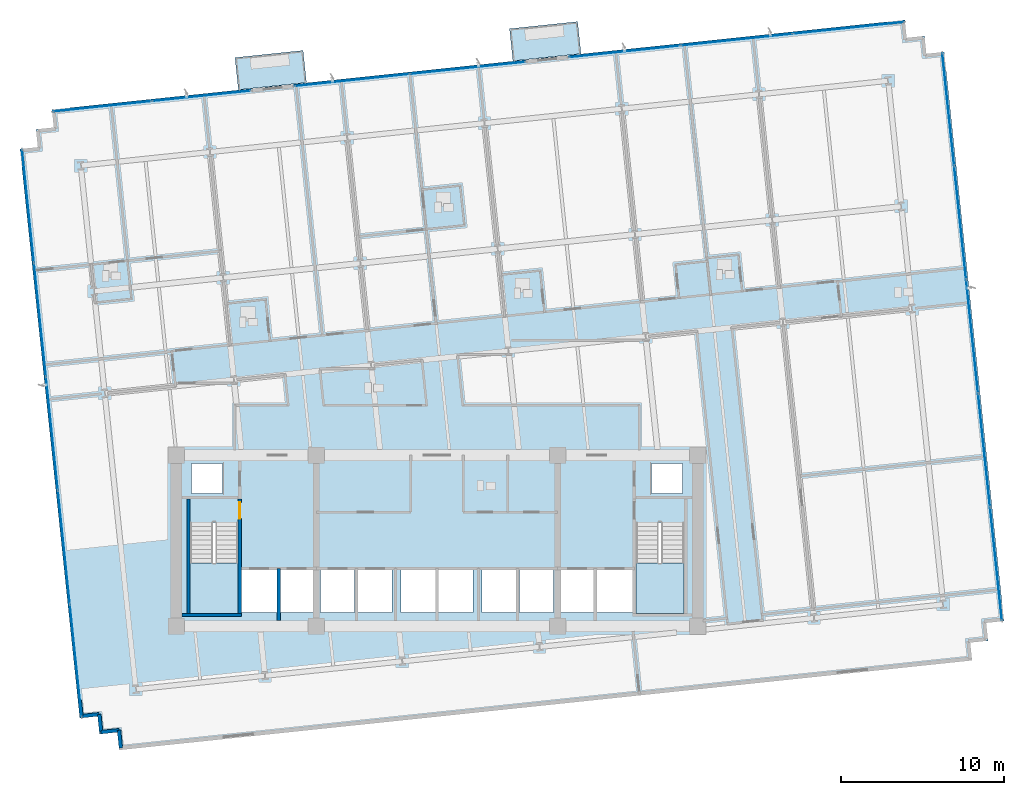
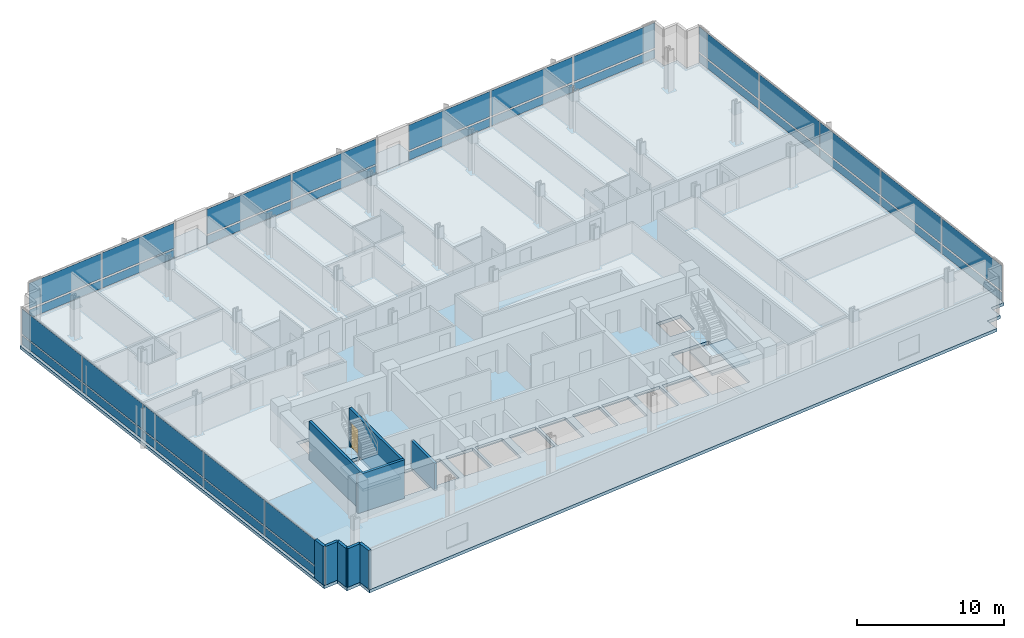
# One storey, part 9 of 20: 34 plates, 9 walls, 5 slabs, 1 door, 1 opening, 7 elements without a shape of their own.
"""IFC4 building model written with IfcOpenShell, lengths in metres."""

from ifc_helpers import new_model, si_unit, direction, frame, frame_2d, origin, origin_2d, place, context, subcontext, project, spatial, polyline, rectangle, outline, extrude, material, layer, layer_set, type_object, element, fill, aggregate, save


model = new_model("IFC4")

# Units and contexts
model_context = context("Model", 3, precision=1e-05, world=origin(), true_north=direction((0.0, 1.0)))
body_context = subcontext(model_context, "Body", "Model", "MODEL_VIEW")
ifc_project = project(units=[si_unit("LENGTHUNIT", "METRE"), si_unit("AREAUNIT", "SQUARE_METRE"), si_unit("VOLUMEUNIT", "CUBIC_METRE"), si_unit("PLANEANGLEUNIT", "RADIAN"), si_unit("MASSUNIT", "GRAM", prefix="KILO")], contexts=[model_context])

# Site, building, storey
site_placement = place(None, origin())
site = spatial("IfcSite", under=ifc_project, at=site_placement, CompositionType="ELEMENT")
building_placement = place(site_placement, origin())
building = spatial("IfcBuilding", under=site, at=building_placement, Name="Solmavex Isthmus Hotel", CompositionType="ELEMENT")
storey_placement = place(building_placement, frame((0.0, 0.0, 87.0)))
storey = spatial("IfcBuildingStorey", under=building, at=storey_placement, Name="L23", CompositionType="ELEMENT", Elevation=87.0)

# Curtain wall, plates
ifc_material_1 = material(Name="Aluminium alloy 6063-T6", Category="aluminium")
curtain_wall_type = type_object("IfcCurtainWallType", Name="CW-SYS-03", PredefinedType="NOTDEFINED", material=ifc_material_1)
curtain_wall_1_placement = place(storey_placement, origin())
curtain_wall_1 = element("IfcCurtainWall", 1, at=curtain_wall_1_placement, inside=storey, type_object=curtain_wall_type, Name="Stick Curtain Wall CWL-L23-N1", PredefinedType="NOTDEFINED")
ifc_material_2 = material(Name="Clear low-E laminated glass", Category="glass")
ifc_layer_1 = layer(ifc_material_2, 0.030029296875)
ifc_layer_set_1 = layer_set([ifc_layer_1], Name="Clear low-E laminated glass")
plate_type = type_object("IfcPlateType", Name="CW-SYS-03-PNL", PredefinedType="CURTAIN_PANEL", material=ifc_layer_set_1)
plate_1_placement = place(storey_placement, frame((-20.531982421875, 18.896728515625, 0.14013671875), z_axis=(0.0, 0.0, 1.0), x_axis=(0.994521931062, 0.104528123665, 0.0)))
plate_1 = element("IfcPlate", 2, at=plate_1_placement, type_object=plate_type, Name="CW-03 panel 1.1", PredefinedType="CURTAIN_PANEL", context=body_context, shape_type="SweptSolid", body=[
    extrude(rectangle(XDim=6.04541015625, YDim=0.030029296875, at=origin_2d()), origin(), (0.0, 0.0, 1.0), 0.68994140625),
])
plate_2_placement = place(storey_placement, frame((-20.531982421875, 18.896728515625, 0.969970703125), z_axis=(0.0, 0.0, 1.0), x_axis=(0.994521931062, 0.104528123665, 0.0)))
plate_2 = element("IfcPlate", 3, at=plate_2_placement, type_object=plate_type, Name="CW-03 panel 1.2", PredefinedType="CURTAIN_PANEL", context=body_context, shape_type="SweptSolid", body=[
    extrude(rectangle(XDim=6.04541015625, YDim=0.030029296875, at=origin_2d()), origin(), (0.0, 0.0, 1.0), 2.080078125),
])
plate_3_placement = place(storey_placement, frame((-14.449951171875, 19.535888671875, 0.14013671875), z_axis=(0.0, 0.0, 1.0), x_axis=(0.994521931062, 0.104528123665, 0.0)))
plate_3 = element("IfcPlate", 4, at=plate_3_placement, type_object=plate_type, Name="CW-03 panel 2.1", PredefinedType="CURTAIN_PANEL", context=body_context, shape_type="SweptSolid", body=[
    extrude(rectangle(XDim=6.04541015625, YDim=0.030029296875, at=origin_2d()), origin(), (0.0, 0.0, 1.0), 0.68994140625),
])
plate_4_placement = place(storey_placement, frame((-14.449951171875, 19.535888671875, 0.969970703125), z_axis=(0.0, 0.0, 1.0), x_axis=(0.994521931062, 0.104528123665, 0.0)))
plate_4 = element("IfcPlate", 5, at=plate_4_placement, type_object=plate_type, Name="CW-03 panel 2.2", PredefinedType="CURTAIN_PANEL", context=body_context, shape_type="SweptSolid", body=[
    extrude(rectangle(XDim=6.04541015625, YDim=0.030029296875, at=origin_2d()), origin(), (0.0, 0.0, 1.0), 2.080078125),
])
aggregate(curtain_wall_1, [plate_1, plate_2, plate_3, plate_4])

curtain_wall_2_placement = place(storey_placement, origin())
curtain_wall_2 = element("IfcCurtainWall", 6, at=curtain_wall_2_placement, inside=storey, type_object=curtain_wall_type, Name="Stick Curtain Wall CWL-L23-N2", PredefinedType="NOTDEFINED")
plate_5_placement = place(storey_placement, frame((-5.207763671875, 20.50732421875, 0.14013671875), z_axis=(0.0, 0.0, 1.0), x_axis=(0.994521911082, 0.104528313766, 0.0)))
plate_5 = element("IfcPlate", 7, at=plate_5_placement, type_object=plate_type, Name="CW-03 panel 1.1", PredefinedType="CURTAIN_PANEL", context=body_context, shape_type="SweptSolid", body=[
    extrude(rectangle(XDim=7.06103515625, YDim=0.030029296875, at=origin_2d()), origin(), (0.0, 0.0, 1.0), 0.68994140625),
])
plate_6_placement = place(storey_placement, frame((-5.207763671875, 20.50732421875, 0.969970703125), z_axis=(0.0, 0.0, 1.0), x_axis=(0.994521911082, 0.104528313766, 0.0)))
plate_6 = element("IfcPlate", 8, at=plate_6_placement, type_object=plate_type, Name="CW-03 panel 1.2", PredefinedType="CURTAIN_PANEL", context=body_context, shape_type="SweptSolid", body=[
    extrude(rectangle(XDim=7.06103515625, YDim=0.030029296875, at=origin_2d()), origin(), (0.0, 0.0, 1.0), 2.080078125),
])
plate_7_placement = place(storey_placement, frame((1.88427734375, 21.252685546875, 0.14013671875), z_axis=(0.0, 0.0, 1.0), x_axis=(0.994521911082, 0.104528313766, 0.0)))
plate_7 = element("IfcPlate", 9, at=plate_7_placement, type_object=plate_type, Name="CW-03 panel 2.1", PredefinedType="CURTAIN_PANEL", context=body_context, shape_type="SweptSolid", body=[
    extrude(rectangle(XDim=7.06103515625, YDim=0.030029296875, at=origin_2d()), origin(), (0.0, 0.0, 1.0), 0.68994140625),
])
plate_8_placement = place(storey_placement, frame((1.88427734375, 21.252685546875, 0.969970703125), z_axis=(0.0, 0.0, 1.0), x_axis=(0.994521911082, 0.104528313766, 0.0)))
plate_8 = element("IfcPlate", 10, at=plate_8_placement, type_object=plate_type, Name="CW-03 panel 2.2", PredefinedType="CURTAIN_PANEL", context=body_context, shape_type="SweptSolid", body=[
    extrude(rectangle(XDim=7.06103515625, YDim=0.030029296875, at=origin_2d()), origin(), (0.0, 0.0, 1.0), 2.080078125),
])
aggregate(curtain_wall_2, [plate_5, plate_6, plate_7, plate_8])

curtain_wall_3_placement = place(storey_placement, origin())
curtain_wall_3 = element("IfcCurtainWall", 11, at=curtain_wall_3_placement, inside=storey, type_object=curtain_wall_type, Name="Stick Curtain Wall CWL-L23-N3", PredefinedType="NOTDEFINED")
plate_9_placement = place(storey_placement, frame((11.510498046875, 22.264404296875, 0.14013671875), z_axis=(0.0, 0.0, 1.0), x_axis=(0.994521905105, 0.10452837063, 0.0)))
plate_9 = element("IfcPlate", 12, at=plate_9_placement, type_object=plate_type, Name="CW-03 panel 1.1", PredefinedType="CURTAIN_PANEL", context=body_context, shape_type="SweptSolid", body=[
    extrude(rectangle(XDim=6.8173828125, YDim=0.030029296875, at=origin_2d()), origin(), (0.0, 0.0, 1.0), 0.68994140625),
])
plate_10_placement = place(storey_placement, frame((11.510498046875, 22.264404296875, 0.969970703125), z_axis=(0.0, 0.0, 1.0), x_axis=(0.994521905105, 0.10452837063, 0.0)))
plate_10 = element("IfcPlate", 13, at=plate_10_placement, type_object=plate_type, Name="CW-03 panel 1.2", PredefinedType="CURTAIN_PANEL", context=body_context, shape_type="SweptSolid", body=[
    extrude(rectangle(XDim=6.8173828125, YDim=0.030029296875, at=origin_2d()), origin(), (0.0, 0.0, 1.0), 2.080078125),
])
plate_11_placement = place(storey_placement, frame((18.37744140625, 22.986083984375, 0.14013671875), z_axis=(0.0, 0.0, 1.0), x_axis=(0.994521905105, 0.10452837063, 0.0)))
plate_11 = element("IfcPlate", 14, at=plate_11_placement, type_object=plate_type, Name="CW-03 panel 2.1", PredefinedType="CURTAIN_PANEL", context=body_context, shape_type="SweptSolid", body=[
    extrude(rectangle(XDim=6.852294921875, YDim=0.030029296875, at=origin_2d()), origin(), (0.0, 0.0, 1.0), 0.68994140625),
])
plate_12_placement = place(storey_placement, frame((18.37744140625, 22.986083984375, 0.969970703125), z_axis=(0.0, 0.0, 1.0), x_axis=(0.994521905105, 0.10452837063, 0.0)))
plate_12 = element("IfcPlate", 15, at=plate_12_placement, type_object=plate_type, Name="CW-03 panel 2.2", PredefinedType="CURTAIN_PANEL", context=body_context, shape_type="SweptSolid", body=[
    extrude(rectangle(XDim=6.852294921875, YDim=0.030029296875, at=origin_2d()), origin(), (0.0, 0.0, 1.0), 2.080078125),
])
plate_13_placement = place(storey_placement, frame((25.244384765625, 23.7080078125, 0.14013671875), z_axis=(0.0, 0.0, 1.0), x_axis=(0.994521905105, 0.10452837063, 0.0)))
plate_13 = element("IfcPlate", 16, at=plate_13_placement, type_object=plate_type, Name="CW-03 panel 3.1", PredefinedType="CURTAIN_PANEL", context=body_context, shape_type="SweptSolid", body=[
    extrude(rectangle(XDim=6.8173828125, YDim=0.030029296875, at=origin_2d()), origin(), (0.0, 0.0, 1.0), 0.68994140625),
])
plate_14_placement = place(storey_placement, frame((25.244384765625, 23.7080078125, 0.969970703125), z_axis=(0.0, 0.0, 1.0), x_axis=(0.994521905105, 0.10452837063, 0.0)))
plate_14 = element("IfcPlate", 17, at=plate_14_placement, type_object=plate_type, Name="CW-03 panel 3.2", PredefinedType="CURTAIN_PANEL", context=body_context, shape_type="SweptSolid", body=[
    extrude(rectangle(XDim=6.8173828125, YDim=0.030029296875, at=origin_2d()), origin(), (0.0, 0.0, 1.0), 2.080078125),
])
aggregate(curtain_wall_3, [plate_9, plate_10, plate_11, plate_12, plate_13, plate_14])

curtain_wall_4_placement = place(storey_placement, origin())
curtain_wall_4 = element("IfcCurtainWall", 18, at=curtain_wall_4_placement, inside=storey, type_object=curtain_wall_type, Name="Stick Curtain Wall CWL-L23-W1", PredefinedType="NOTDEFINED")
plate_15_placement = place(storey_placement, frame((-22.15869140625, -15.1123046875, 0.14013671875), z_axis=(0.0, 0.0, 1.0), x_axis=(-0.104528485381, 0.994521893044, 0.0)))
plate_15 = element("IfcPlate", 19, at=plate_15_placement, type_object=plate_type, Name="CW-03 panel 1.1", PredefinedType="CURTAIN_PANEL", context=body_context, shape_type="SweptSolid", body=[
    extrude(rectangle(XDim=6.9150390625, YDim=0.030029296875, at=origin_2d()), origin(), (0.0, 0.0, 1.0), 0.68994140625),
])
plate_16_placement = place(storey_placement, frame((-22.15869140625, -15.1123046875, 0.969970703125), z_axis=(0.0, 0.0, 1.0), x_axis=(-0.104528485381, 0.994521893044, 0.0)))
plate_16 = element("IfcPlate", 20, at=plate_16_placement, type_object=plate_type, Name="CW-03 panel 1.2", PredefinedType="CURTAIN_PANEL", context=body_context, shape_type="SweptSolid", body=[
    extrude(rectangle(XDim=6.9150390625, YDim=0.030029296875, at=origin_2d()), origin(), (0.0, 0.0, 1.0), 2.080078125),
])
plate_17_placement = place(storey_placement, frame((-22.890625, -8.14794921875, 0.14013671875), z_axis=(0.0, 0.0, 1.0), x_axis=(-0.104528485381, 0.994521893044, 0.0)))
plate_17 = element("IfcPlate", 21, at=plate_17_placement, type_object=plate_type, Name="CW-03 panel 2.1", PredefinedType="CURTAIN_PANEL", context=body_context, shape_type="SweptSolid", body=[
    extrude(rectangle(XDim=6.949951171875, YDim=0.030029296875, at=origin_2d()), origin(), (0.0, 0.0, 1.0), 0.68994140625),
])
plate_18_placement = place(storey_placement, frame((-22.890625, -8.14794921875, 0.969970703125), z_axis=(0.0, 0.0, 1.0), x_axis=(-0.104528485381, 0.994521893044, 0.0)))
plate_18 = element("IfcPlate", 22, at=plate_18_placement, type_object=plate_type, Name="CW-03 panel 2.2", PredefinedType="CURTAIN_PANEL", context=body_context, shape_type="SweptSolid", body=[
    extrude(rectangle(XDim=6.949951171875, YDim=0.030029296875, at=origin_2d()), origin(), (0.0, 0.0, 1.0), 2.080078125),
])
plate_19_placement = place(storey_placement, frame((-23.62451171875, -1.16650390625, 0.14013671875), z_axis=(0.0, 0.0, 1.0), x_axis=(-0.104528485381, 0.994521893044, 0.0)))
plate_19 = element("IfcPlate", 23, at=plate_19_placement, type_object=plate_type, Name="CW-03 panel 3.1", PredefinedType="CURTAIN_PANEL", context=body_context, shape_type="SweptSolid", body=[
    extrude(rectangle(XDim=6.949951171875, YDim=0.030029296875, at=origin_2d()), origin(), (0.0, 0.0, 1.0), 0.68994140625),
])
plate_20_placement = place(storey_placement, frame((-23.62451171875, -1.16650390625, 0.969970703125), z_axis=(0.0, 0.0, 1.0), x_axis=(-0.104528485381, 0.994521893044, 0.0)))
plate_20 = element("IfcPlate", 24, at=plate_20_placement, type_object=plate_type, Name="CW-03 panel 3.2", PredefinedType="CURTAIN_PANEL", context=body_context, shape_type="SweptSolid", body=[
    extrude(rectangle(XDim=6.949951171875, YDim=0.030029296875, at=origin_2d()), origin(), (0.0, 0.0, 1.0), 2.080078125),
])
plate_21_placement = place(storey_placement, frame((-24.3583984375, 5.81494140625, 0.14013671875), z_axis=(0.0, 0.0, 1.0), x_axis=(-0.104528485381, 0.994521893044, 0.0)))
plate_21 = element("IfcPlate", 25, at=plate_21_placement, type_object=plate_type, Name="CW-03 panel 4.1", PredefinedType="CURTAIN_PANEL", context=body_context, shape_type="SweptSolid", body=[
    extrude(rectangle(XDim=6.949951171875, YDim=0.030029296875, at=origin_2d()), origin(), (0.0, 0.0, 1.0), 0.68994140625),
])
plate_22_placement = place(storey_placement, frame((-24.3583984375, 5.81494140625, 0.969970703125), z_axis=(0.0, 0.0, 1.0), x_axis=(-0.104528485381, 0.994521893044, 0.0)))
plate_22 = element("IfcPlate", 26, at=plate_22_placement, type_object=plate_type, Name="CW-03 panel 4.2", PredefinedType="CURTAIN_PANEL", context=body_context, shape_type="SweptSolid", body=[
    extrude(rectangle(XDim=6.949951171875, YDim=0.030029296875, at=origin_2d()), origin(), (0.0, 0.0, 1.0), 2.080078125),
])
plate_23_placement = place(storey_placement, frame((-25.09033203125, 12.779052734375, 0.14013671875), z_axis=(0.0, 0.0, 1.0), x_axis=(-0.104528485381, 0.994521893044, 0.0)))
plate_23 = element("IfcPlate", 27, at=plate_23_placement, type_object=plate_type, Name="CW-03 panel 5.1", PredefinedType="CURTAIN_PANEL", context=body_context, shape_type="SweptSolid", body=[
    extrude(rectangle(XDim=6.9150390625, YDim=0.030029296875, at=origin_2d()), origin(), (0.0, 0.0, 1.0), 0.68994140625),
])
plate_24_placement = place(storey_placement, frame((-25.09033203125, 12.779052734375, 0.969970703125), z_axis=(0.0, 0.0, 1.0), x_axis=(-0.104528485381, 0.994521893044, 0.0)))
plate_24 = element("IfcPlate", 28, at=plate_24_placement, type_object=plate_type, Name="CW-03 panel 5.2", PredefinedType="CURTAIN_PANEL", context=body_context, shape_type="SweptSolid", body=[
    extrude(rectangle(XDim=6.9150390625, YDim=0.030029296875, at=origin_2d()), origin(), (0.0, 0.0, 1.0), 2.080078125),
])
aggregate(curtain_wall_4, [plate_15, plate_16, plate_17, plate_18, plate_19, plate_20, plate_21, plate_22, plate_23, plate_24])

curtain_wall_5_placement = place(storey_placement, origin())
curtain_wall_5 = element("IfcCurtainWall", 29, at=curtain_wall_5_placement, inside=storey, type_object=curtain_wall_type, Name="Stick Curtain Wall CWL-L23-E1", PredefinedType="NOTDEFINED")
plate_25_placement = place(storey_placement, frame((34.290283203125, -9.17919921875, 0.14013671875), z_axis=(0.0, 0.0, 1.0), x_axis=(-0.104528485381, 0.994521893044, 0.0)))
plate_25 = element("IfcPlate", 30, at=plate_25_placement, type_object=plate_type, Name="CW-03 panel 1.1", PredefinedType="CURTAIN_PANEL", context=body_context, shape_type="SweptSolid", body=[
    extrude(rectangle(XDim=6.9150390625, YDim=0.030029296875, at=origin_2d()), origin(), (0.0, 0.0, 1.0), 0.68994140625),
])
plate_26_placement = place(storey_placement, frame((34.290283203125, -9.17919921875, 0.969970703125), z_axis=(0.0, 0.0, 1.0), x_axis=(-0.104528485381, 0.994521893044, 0.0)))
plate_26 = element("IfcPlate", 31, at=plate_26_placement, type_object=plate_type, Name="CW-03 panel 1.2", PredefinedType="CURTAIN_PANEL", context=body_context, shape_type="SweptSolid", body=[
    extrude(rectangle(XDim=6.9150390625, YDim=0.030029296875, at=origin_2d()), origin(), (0.0, 0.0, 1.0), 2.080078125),
])
plate_27_placement = place(storey_placement, frame((33.558349609375, -2.215087890625, 0.14013671875), z_axis=(0.0, 0.0, 1.0), x_axis=(-0.104528485381, 0.994521893044, 0.0)))
plate_27 = element("IfcPlate", 32, at=plate_27_placement, type_object=plate_type, Name="CW-03 panel 2.1", PredefinedType="CURTAIN_PANEL", context=body_context, shape_type="SweptSolid", body=[
    extrude(rectangle(XDim=6.949951171875, YDim=0.030029296875, at=origin_2d()), origin(), (0.0, 0.0, 1.0), 0.68994140625),
])
plate_28_placement = place(storey_placement, frame((33.558349609375, -2.215087890625, 0.969970703125), z_axis=(0.0, 0.0, 1.0), x_axis=(-0.104528485381, 0.994521893044, 0.0)))
plate_28 = element("IfcPlate", 33, at=plate_28_placement, type_object=plate_type, Name="CW-03 panel 2.2", PredefinedType="CURTAIN_PANEL", context=body_context, shape_type="SweptSolid", body=[
    extrude(rectangle(XDim=6.949951171875, YDim=0.030029296875, at=origin_2d()), origin(), (0.0, 0.0, 1.0), 2.080078125),
])
plate_29_placement = place(storey_placement, frame((32.824462890625, 4.7666015625, 0.14013671875), z_axis=(0.0, 0.0, 1.0), x_axis=(-0.104528485381, 0.994521893044, 0.0)))
plate_29 = element("IfcPlate", 34, at=plate_29_placement, type_object=plate_type, Name="CW-03 panel 3.1", PredefinedType="CURTAIN_PANEL", context=body_context, shape_type="SweptSolid", body=[
    extrude(rectangle(XDim=6.949951171875, YDim=0.030029296875, at=origin_2d()), origin(), (0.0, 0.0, 1.0), 0.68994140625),
])
plate_30_placement = place(storey_placement, frame((32.824462890625, 4.7666015625, 0.969970703125), z_axis=(0.0, 0.0, 1.0), x_axis=(-0.104528485381, 0.994521893044, 0.0)))
plate_30 = element("IfcPlate", 35, at=plate_30_placement, type_object=plate_type, Name="CW-03 panel 3.2", PredefinedType="CURTAIN_PANEL", context=body_context, shape_type="SweptSolid", body=[
    extrude(rectangle(XDim=6.949951171875, YDim=0.030029296875, at=origin_2d()), origin(), (0.0, 0.0, 1.0), 2.080078125),
])
plate_31_placement = place(storey_placement, frame((32.0908203125, 11.748046875, 0.14013671875), z_axis=(0.0, 0.0, 1.0), x_axis=(-0.104528485381, 0.994521893044, 0.0)))
plate_31 = element("IfcPlate", 36, at=plate_31_placement, type_object=plate_type, Name="CW-03 panel 4.1", PredefinedType="CURTAIN_PANEL", context=body_context, shape_type="SweptSolid", body=[
    extrude(rectangle(XDim=6.949951171875, YDim=0.030029296875, at=origin_2d()), origin(), (0.0, 0.0, 1.0), 0.68994140625),
])
plate_32_placement = place(storey_placement, frame((32.0908203125, 11.748046875, 0.969970703125), z_axis=(0.0, 0.0, 1.0), x_axis=(-0.104528485381, 0.994521893044, 0.0)))
plate_32 = element("IfcPlate", 37, at=plate_32_placement, type_object=plate_type, Name="CW-03 panel 4.2", PredefinedType="CURTAIN_PANEL", context=body_context, shape_type="SweptSolid", body=[
    extrude(rectangle(XDim=6.949951171875, YDim=0.030029296875, at=origin_2d()), origin(), (0.0, 0.0, 1.0), 2.080078125),
])
plate_33_placement = place(storey_placement, frame((31.35888671875, 18.712158203125, 0.14013671875), z_axis=(0.0, 0.0, 1.0), x_axis=(-0.104528485381, 0.994521893044, 0.0)))
plate_33 = element("IfcPlate", 38, at=plate_33_placement, type_object=plate_type, Name="CW-03 panel 5.1", PredefinedType="CURTAIN_PANEL", context=body_context, shape_type="SweptSolid", body=[
    extrude(rectangle(XDim=6.9150390625, YDim=0.030029296875, at=origin_2d()), origin(), (0.0, 0.0, 1.0), 0.68994140625),
])
plate_34_placement = place(storey_placement, frame((31.35888671875, 18.712158203125, 0.969970703125), z_axis=(0.0, 0.0, 1.0), x_axis=(-0.104528485381, 0.994521893044, 0.0)))
plate_34 = element("IfcPlate", 39, at=plate_34_placement, type_object=plate_type, Name="CW-03 panel 5.2", PredefinedType="CURTAIN_PANEL", context=body_context, shape_type="SweptSolid", body=[
    extrude(rectangle(XDim=6.9150390625, YDim=0.030029296875, at=origin_2d()), origin(), (0.0, 0.0, 1.0), 2.080078125),
])
aggregate(curtain_wall_5, [plate_25, plate_26, plate_27, plate_28, plate_29, plate_30, plate_31, plate_32, plate_33, plate_34])

# Slabs
ifc_material_3 = material(Name="Concrete C40/50", Category="concrete")
ifc_layer_2 = layer(ifc_material_3, 0.239990234375)
ifc_layer_set_2 = layer_set([ifc_layer_2], Name="Concrete C40/50")
slab_type_1 = type_object("IfcSlabType", Name="SLAB-BALC-240", PredefinedType="FLOOR", material=ifc_layer_set_2)
slab_1_placement = place(storey_placement, frame((0.0, 0.0, -0.239990234375)))
element("IfcSlab", 40, at=slab_1_placement, inside=storey, type_object=slab_type_1, Name="Tree-Planter Balcony Slab L23-B1", PredefinedType="FLOOR", context=body_context, shape_type="SweptSolid", body=[
    extrude(outline(polyline([(-12.183837890625, 19.909912109375), (-8.0068359375, 20.348876953125), (-8.21435546875, 22.322998046875), (-12.391357421875, 21.884033203125), (-12.183837890625, 19.909912109375)])), origin(), (0.0, 0.0, 1.0), 0.239990234375),
])
slab_2_placement = place(storey_placement, frame((0.0, 0.0, -0.239990234375)))
element("IfcSlab", 41, at=slab_2_placement, inside=storey, type_object=slab_type_1, Name="Tree-Planter Balcony Slab L23-B2", PredefinedType="FLOOR", context=body_context, shape_type="SweptSolid", body=[
    extrude(outline(polyline([(4.6552734375, 21.6796875), (8.832275390625, 22.11865234375), (8.624755859375, 24.0927734375), (4.44775390625, 23.65380859375), (4.6552734375, 21.6796875)])), origin(), (0.0, 0.0, 1.0), 0.239990234375),
])
ifc_layer_3 = layer(ifc_material_3, 0.260009765625)
ifc_layer_set_3 = layer_set([ifc_layer_3], Name="Concrete C40/50")
slab_type_2 = type_object("IfcSlabType", Name="SLAB-TYP-260", PredefinedType="FLOOR", material=ifc_layer_set_3)
slab_3_placement = place(storey_placement, frame((0.0, 0.0, -0.260009765625)))
element("IfcSlab", 42, at=slab_3_placement, inside=storey, type_object=slab_type_2, Name="Tower Structural Floor Slab L23", PredefinedType="FLOOR", context=body_context, shape_type="SweptSolid", body=[
    extrude(outline(polyline([(-18.3974609375, -20.475830078125), (31.726318359375, -15.207763671875), (32.8203125, -15.0927734375), (32.705322265625, -13.998779296875), (33.79931640625, -13.8837890625), (33.684326171875, -12.789794921875), (34.7783203125, -12.6748046875), (34.663330078125, -11.580810546875), (31.224365234375, 21.138916015625), (31.109375, 22.23291015625), (30.015380859375, 22.117919921875), (29.900390625, 23.2119140625), (28.806396484375, 23.096923828125), (28.69140625, 24.19091796875), (27.597412109375, 24.075927734375), (-22.5263671875, 18.8076171875), (-23.620361328125, 18.692626953125), (-23.50537109375, 17.5986328125), (-24.599365234375, 17.483642578125), (-24.484375, 16.389892578125), (-25.578369140625, 16.27490234375), (-25.46337890625, 15.180908203125), (-22.0244140625, -17.5390625), (-21.909423828125, -18.6328125), (-20.8154296875, -18.517822265625), (-20.700439453125, -19.61181640625), (-19.6064453125, -19.496826171875), (-19.491455078125, -20.5908203125), (-18.3974609375, -20.475830078125)]), holes=[polyline([(-15.14990234375, -6.617919921875), (-15.14990234375, -12.199951171875), (-12.199951171875, -12.199951171875), (-12.199951171875, -6.617919921875), (-15.14990234375, -6.617919921875)]), polyline([(12.199951171875, -6.617919921875), (12.199951171875, -12.199951171875), (15.14990234375, -12.199951171875), (15.14990234375, -6.617919921875), (12.199951171875, -6.617919921875)]), polyline([(-12.0, -12.14990234375), (-9.800048828125, -12.14990234375), (-9.800048828125, -9.550048828125), (-12.0, -9.550048828125), (-12.0, -12.14990234375)]), polyline([(9.800048828125, -12.14990234375), (12.0, -12.14990234375), (12.0, -9.550048828125), (9.800048828125, -9.550048828125), (9.800048828125, -12.14990234375)]), polyline([(-9.60009765625, -12.14990234375), (-7.60009765625, -12.14990234375), (-7.60009765625, -9.550048828125), (-9.60009765625, -9.550048828125), (-9.60009765625, -12.14990234375)]), polyline([(7.60009765625, -12.14990234375), (9.60009765625, -12.14990234375), (9.60009765625, -9.550048828125), (7.60009765625, -9.550048828125), (7.60009765625, -12.14990234375)]), polyline([(-7.14990234375, -12.14990234375), (-5.050048828125, -12.14990234375), (-5.050048828125, -9.550048828125), (-7.14990234375, -9.550048828125), (-7.14990234375, -12.14990234375)]), polyline([(-4.85009765625, -12.14990234375), (-2.75, -12.14990234375), (-2.75, -9.550048828125), (-4.85009765625, -9.550048828125), (-4.85009765625, -12.14990234375)]), polyline([(-2.199951171875, -12.14990234375), (-0.10009765625, -12.14990234375), (-0.10009765625, -9.550048828125), (-2.199951171875, -9.550048828125), (-2.199951171875, -12.14990234375)]), polyline([(0.10009765625, -12.14990234375), (2.199951171875, -12.14990234375), (2.199951171875, -9.550048828125), (0.10009765625, -9.550048828125), (0.10009765625, -12.14990234375)]), polyline([(2.75, -12.14990234375), (4.85009765625, -12.14990234375), (4.85009765625, -9.550048828125), (2.75, -9.550048828125), (2.75, -12.14990234375)]), polyline([(5.050048828125, -12.14990234375), (7.14990234375, -12.14990234375), (7.14990234375, -9.550048828125), (5.050048828125, -9.550048828125), (5.050048828125, -12.14990234375)]), polyline([(-15.050048828125, -4.85009765625), (-13.14990234375, -4.85009765625), (-13.14990234375, -3.0), (-15.050048828125, -3.0), (-15.050048828125, -4.85009765625)]), polyline([(13.14990234375, -4.85009765625), (15.050048828125, -4.85009765625), (15.050048828125, -3.0), (13.14990234375, -3.0), (13.14990234375, -4.85009765625)])]), origin(), (0.0, 0.0, 1.0), 0.260009765625),
])

# Stair, slab
stair_type_1 = type_object("IfcStairType", Name="STR-ST-1", PredefinedType="HALF_TURN_STAIR", material=ifc_material_3)
stair_1_placement = place(storey_placement, origin())
stair_1 = element("IfcStair", 43, at=stair_1_placement, inside=storey, type_object=stair_type_1, Name="L23 Protected Exit Stair ST-1", PredefinedType="HALF_TURN_STAIR")
ifc_layer_4 = layer(ifc_material_3, 0.219970703125)
ifc_layer_set_4 = layer_set([ifc_layer_4], Name="Concrete C40/50")
slab_type_3 = type_object("IfcSlabType", Name="SLD-ST-1", PredefinedType="LANDING", material=ifc_layer_set_4)
slab_4_placement = place(storey_placement, frame((0.0, 0.0, 1.52490234375)))
slab_4 = element("IfcSlab", 44, at=slab_4_placement, type_object=slab_type_3, Name="ST-1 landing 1", PredefinedType="LANDING", context=body_context, shape_type="SweptSolid", body=[
    extrude(outline(polyline([(-15.14990234375, -9.1201171875), (-15.14990234375, -12.199951171875), (-12.199951171875, -12.199951171875), (-12.199951171875, -9.1201171875), (-15.14990234375, -9.1201171875)])), origin(), (0.0, 0.0, 1.0), 0.2001953125),
])
aggregate(stair_1, [slab_4])

stair_type_2 = type_object("IfcStairType", Name="STR-ST-2", PredefinedType="HALF_TURN_STAIR", material=ifc_material_3)
stair_2_placement = place(storey_placement, origin())
stair_2 = element("IfcStair", 45, at=stair_2_placement, inside=storey, type_object=stair_type_2, Name="L23 Protected Exit Stair ST-2", PredefinedType="HALF_TURN_STAIR")
ifc_layer_5 = layer(ifc_material_3, 0.219970703125)
ifc_layer_set_5 = layer_set([ifc_layer_5], Name="Concrete C40/50")
slab_type_4 = type_object("IfcSlabType", Name="SLD-ST-2", PredefinedType="LANDING", material=ifc_layer_set_5)
slab_5_placement = place(storey_placement, frame((0.0, 0.0, 1.52490234375)))
slab_5 = element("IfcSlab", 46, at=slab_5_placement, type_object=slab_type_4, Name="ST-2 landing 1", PredefinedType="LANDING", context=body_context, shape_type="SweptSolid", body=[
    extrude(outline(polyline([(12.199951171875, -9.1201171875), (12.199951171875, -12.199951171875), (15.14990234375, -12.199951171875), (15.14990234375, -9.1201171875), (12.199951171875, -9.1201171875)])), origin(), (0.0, 0.0, 1.0), 0.2001953125),
])
aggregate(stair_2, [slab_5])

# Walls
ifc_material_4 = material(Name="Precast Concrete C40/50", Category="concrete")
ifc_layer_6 = layer(ifc_material_4, 0.25)
ifc_layer_set_6 = layer_set([ifc_layer_6], Name="Precast Concrete C40/50")
wall_type_1 = type_object("IfcWallType", Name="EW-TWR-250", PredefinedType="STANDARD", material=ifc_layer_set_6)
for number, where, z_axis, x_axis, name in (
    (47, (-19.3935546875, -20.469970703125, 0.0), (0.0, 0.0, 1.0), (-0.104534592565, 0.994521251134, 0.0), "Serrated Corner Facade Panel L23-01"),
    (48, (-19.508544921875, -19.3759765625, 0.0), (0.0, 0.0, 1.0), (-0.994521251134, -0.104534592565, 0.0), "Serrated Corner Facade Panel L23-02"),
    (49, (-20.6025390625, -19.490966796875, 0.0), (0.0, 0.0, 1.0), (-0.104534592565, 0.994521251134, 0.0), "Serrated Corner Facade Panel L23-03"),
    (50, (-20.717529296875, -18.39697265625, 0.0), (0.0, 0.0, 1.0), (-0.994521251134, -0.104534592565, 0.0), "Serrated Corner Facade Panel L23-04"),
):
    element("IfcWall", number, at=place(storey_placement, frame(where, z_axis=z_axis, x_axis=x_axis)), inside=storey, type_object=wall_type_1, Name=name, PredefinedType="STANDARD", context=body_context, shape_type="SweptSolid", body=[
        extrude(rectangle(XDim=1.10009765625, YDim=0.219970703125, at=frame_2d((0.550048828125, 0.0))), origin(), (0.0, 0.0, 1.0), 3.18994140625),
    ])
wall_1_placement = place(storey_placement, frame((-21.8115234375, -18.511962890625, 0.0), z_axis=(0.0, 0.0, 1.0), x_axis=(-0.104556418955, 0.99451895671, 0.0)))
element("IfcWall", 51, at=wall_1_placement, inside=storey, type_object=wall_type_1, Name="Serrated Corner Facade Panel L23-05", PredefinedType="STANDARD", context=body_context, shape_type="SweptSolid", body=[
    extrude(rectangle(XDim=0.989990234375, YDim=0.219970703125, at=frame_2d((0.4951171875, 0.0))), origin(), (0.0, 0.0, 1.0), 3.18994140625),
])
ifc_layer_7 = layer(ifc_material_3, 0.199951171875)
ifc_layer_set_7 = layer_set([ifc_layer_7], Name="Concrete C40/50")
wall_type_2 = type_object("IfcWallType", Name="IW-SHAFT-200", PredefinedType="PARTITIONING", material=ifc_layer_set_7)
wall_2_placement = place(storey_placement, frame((-9.699951171875, -12.64990234375, 0.0), z_axis=(0.0, 0.0, 1.0), x_axis=(0.0, 1.0, 0.0)))
element("IfcWall", 52, at=wall_2_placement, inside=storey, type_object=wall_type_2, Name="Interior Partition Wall W-L23-FFLW-M", PredefinedType="PARTITIONING", context=body_context, shape_type="SweptSolid", body=[
    extrude(rectangle(XDim=3.199951171875, YDim=0.199951171875, at=frame_2d((1.60009765625, 0.0))), origin(), (0.0, 0.0, 1.0), 2.22509765625),
])
ifc_layer_8 = layer(ifc_material_3, 0.199951171875)
ifc_layer_set_8 = layer_set([ifc_layer_8], Name="Concrete C40/50")
wall_type_3 = type_object("IfcWallType", Name="WALL-SW-200", PredefinedType="SOLIDWALL", material=ifc_layer_set_8)
wall_3_placement = place(storey_placement, frame((-15.64990234375, -12.300048828125, 0.0), z_axis=(0.0, 0.0, 1.0), x_axis=(1.0, 0.0, 0.0)))
element("IfcWall", 53, at=wall_3_placement, inside=storey, type_object=wall_type_3, Name="Stairwell Structural Wall SW-L23-ST1-S", PredefinedType="SOLIDWALL", context=body_context, shape_type="SweptSolid", body=[
    extrude(rectangle(XDim=3.64990234375, YDim=0.199951171875, at=frame_2d((1.824951171875, 0.0))), origin(), (0.0, 0.0, 1.0), 3.18994140625),
])
wall_4_placement = place(storey_placement, frame((-15.25, -12.199951171875, 0.0), z_axis=(0.0, 0.0, 1.0), x_axis=(0.0, 1.0, 0.0)))
element("IfcWall", 54, at=wall_4_placement, inside=storey, type_object=wall_type_3, Name="Stairwell Structural Wall SW-L23-ST1-W", PredefinedType="SOLIDWALL", context=body_context, shape_type="SweptSolid", body=[
    extrude(rectangle(XDim=7.0, YDim=0.199951171875, at=frame_2d((3.5, 0.0))), origin(), (0.0, 0.0, 1.0), 3.18994140625),
])

# Wall, opening, door
wall_5_placement = place(storey_placement, frame((-12.10009765625, -12.199951171875, 0.0), z_axis=(0.0, 0.0, 1.0), x_axis=(0.0, 1.0, 0.0)))
wall_5 = element("IfcWall", 55, at=wall_5_placement, inside=storey, type_object=wall_type_3, Name="Stairwell Structural Wall SW-L23-ST1-E", PredefinedType="SOLIDWALL", context=body_context, shape_type="SweptSolid", body=[
    extrude(rectangle(XDim=7.0, YDim=0.199951171875, at=frame_2d((3.5, 0.0))), origin(), (0.0, 0.0, 1.0), 3.18994140625),
])
opening_placement = place(wall_5_placement, frame((5.800048828125, 0.0, 0.0)))
opening = element("IfcOpeningElement", 56, at=opening_placement, cuts=wall_5, Name="Opening ID-F100", PredefinedType="OPENING", context=body_context, shape_type="SweptSolid", body=[
    extrude(rectangle(XDim=1.0, YDim=2.10009765625, at=frame_2d((0.5, 1.050048828125))), frame((0.0, 0.10986328125, 0.0), z_axis=(0.0, -1.0, 0.0), x_axis=(1.0, 0.0, 0.0)), (0.0, 0.0, 1.0), 0.219970703125),
])
ifc_material_5 = material(Name="Steel ASTM A500 Grade C", Category="steel")
door_type = type_object("IfcDoorType", Name="IDR-FD90-1000", OperationType="NOTDEFINED", PredefinedType="DOOR", material=ifc_material_5)
door_placement = place(opening_placement, frame((1.0, 0.0, 0.0), z_axis=(0.0, 0.0, 1.0), x_axis=(-1.0, 0.0, 0.0)))
door = element("IfcDoor", 57, at=door_placement, inside=storey, type_object=door_type, Name="Stair ST-1 Fire Door L23", OperationType="SINGLE_SWING_LEFT", OverallHeight=2.10009765625, OverallWidth=1.0, PredefinedType="DOOR", context=body_context, shape_type="SweptSolid", body=[
    extrude(rectangle(XDim=1.0, YDim=2.10009765625, at=frame_2d((0.5, 1.050048828125))), frame((0.0, 0.02490234375, 0.0), z_axis=(0.0, -1.0, 0.0), x_axis=(1.0, 0.0, 0.0)), (0.0, 0.0, 1.0), 0.050048828125),
])
fill(opening, door)

save(model, "model.ifc")
